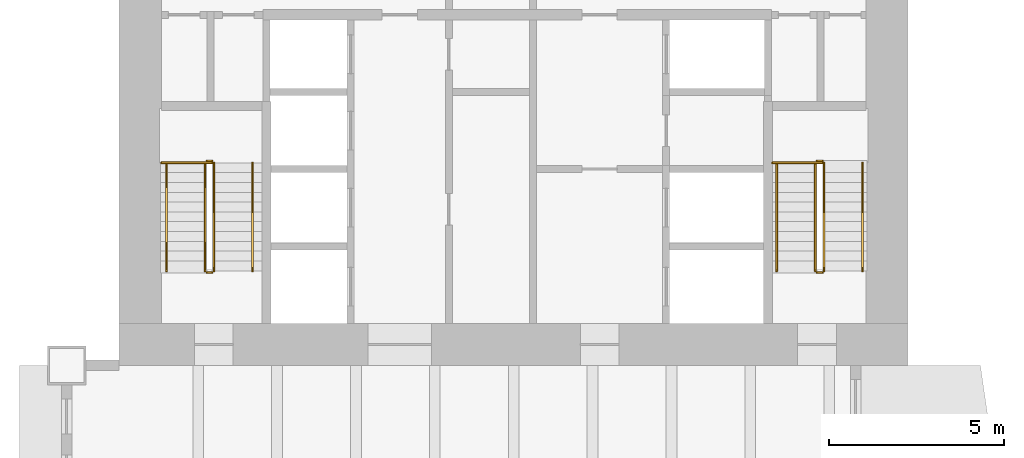
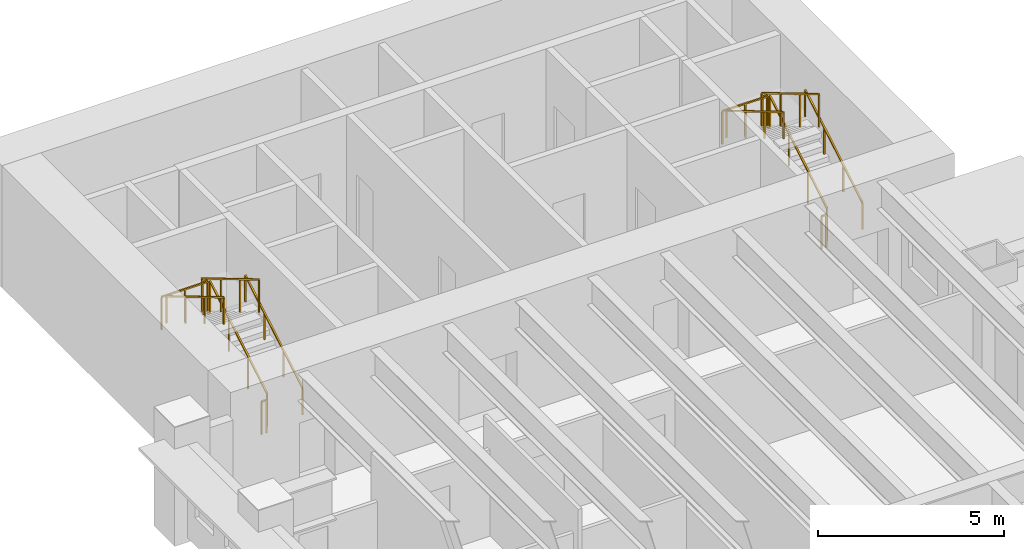
# One storey, part 16 of 16: 14 railings.
"""IFC4 building model written with IfcOpenShell, lengths in metres."""

import ifcopenshell
import ifcopenshell.guid

model = None  # the IFC model being written
_history = None  # IfcOwnerHistory: only IFC2X3 demands one
_inside = {}  # id of a spatial element -> (the spatial element, [elements in it])
_under = {}  # id of a project, library or spatial element -> (it, [spatial elements below it])
_declared = {}  # id of a project -> (the project, [libraries it declares])
_typed = {}  # id of a type object -> (the type object, [elements of that type])
_made_of = {}  # id of a material, layer set ... -> (it, [elements and type objects made of it])


def new_model(schema):
    """Start an empty IFC model of exactly this schema.

    Asked for "IFC4X3", IfcOpenShell would pick the latest addendum, in which some entities
    have other attributes; the version numbers below select the first issue.
    IFC2X3 requires an IfcOwnerHistory on every rooted entity: one is made here for all.
    """
    global model, _history
    if schema == "IFC4X3":
        model = ifcopenshell.file(schema_version=(4, 3, 0, 0))
    else:
        model = ifcopenshell.file(schema=schema)
    _inside.clear()
    _under.clear()
    _declared.clear()
    _typed.clear()
    _made_of.clear()
    _history = None
    if model.schema == "IFC2X3":
        org = make("IfcOrganization", Name="unknown")
        user = make(
            "IfcPersonAndOrganization",
            ThePerson=make("IfcPerson", FamilyName="unknown"),
            TheOrganization=org,
        )
        app = make(
            "IfcApplication",
            ApplicationDeveloper=org,
            Version="unknown",
            ApplicationFullName="unknown",
            ApplicationIdentifier="unknown",
        )
        _history = make(
            "IfcOwnerHistory",
            OwningUser=user,
            OwningApplication=app,
            ChangeAction="ADDED",
            CreationDate=0,
        )
    return model


def make(cls, **values):
    """One entity of the class cls with the attributes given. An attribute that is None is left unset."""
    return model.create_entity(
        cls, **{name: value for name, value in values.items() if value is not None}
    )


def rooted(cls, **values):
    """An entity with a GlobalId (a new one), such as an element, a storey or a relation."""
    return make(cls, GlobalId=ifcopenshell.guid.new(), OwnerHistory=_history, **values)


def si_unit(unit_type, name, prefix=None):
    """IfcSIUnit, for example si_unit("LENGTHUNIT", "METRE", prefix="MILLI")."""
    return make("IfcSIUnit", UnitType=unit_type, Prefix=prefix, Name=name)


def assignment(units):
    """IfcUnitAssignment: the units of a project."""
    return None if units is None else make("IfcUnitAssignment", Units=units)


def point(xyz):
    """IfcCartesianPoint."""
    return None if xyz is None else make("IfcCartesianPoint", Coordinates=xyz)


def direction(xyz):
    """IfcDirection."""
    return None if xyz is None else make("IfcDirection", DirectionRatios=xyz)


def frame(location, z_axis=None, x_axis=None):
    """IfcAxis2Placement3D, a coordinate frame: its origin and axes. An axis left out is left unset."""
    return make(
        "IfcAxis2Placement3D",
        Location=point(location),
        Axis=direction(z_axis),
        RefDirection=direction(x_axis),
    )


def frame_2d(location, x_axis=None):
    """IfcAxis2Placement2D, a coordinate frame in the plane: its origin and x axis."""
    return make(
        "IfcAxis2Placement2D", Location=point(location), RefDirection=direction(x_axis)
    )


def origin():
    """The frame at (0, 0, 0) with its axes left unset."""
    return frame((0.0, 0.0, 0.0))


def origin_2d():
    """The frame at (0, 0) in the plane with its x axis left unset."""
    return frame_2d((0.0, 0.0))


def place(relative_to, where):
    """IfcLocalPlacement: puts the frame where relative to a parent placement (None: the world)."""
    return make(
        "IfcLocalPlacement", PlacementRelTo=relative_to, RelativePlacement=where
    )


def context(
    kind, dimensions, precision=None, world=None, true_north=None, identifier=None
):
    """IfcGeometricRepresentationContext, for example the 3D "Model" context."""
    return make(
        "IfcGeometricRepresentationContext",
        ContextIdentifier=identifier,
        ContextType=kind,
        CoordinateSpaceDimension=dimensions,
        Precision=precision,
        WorldCoordinateSystem=world,
        TrueNorth=true_north,
    )


def subcontext(parent, identifier, kind, view, scale=None):
    """IfcGeometricRepresentationSubContext, for example "Body" below "Model"."""
    return make(
        "IfcGeometricRepresentationSubContext",
        ContextIdentifier=identifier,
        ContextType=kind,
        ParentContext=parent,
        TargetScale=scale,
        TargetView=view,
    )


def project(units=None, contexts=None):
    """IfcProject with its units and contexts."""
    return rooted(
        "IfcProject",
        Name="project",
        RepresentationContexts=contexts,
        UnitsInContext=assignment(units),
    )


def spatial(cls, under=None, at=None, **own):
    """A site, building, storey or space (cls), placed at a placement, below another one or the project."""
    s = rooted(cls, ObjectPlacement=at, **own)
    if under is not None:
        _under.setdefault(under.id(), (under, []))[1].append(s)
    return s


def profile(cls, at=None, kind="AREA", **sizes):
    """A parametric profile (cls). Its sizes go by their IFC names, for example OverallWidth=200.0."""
    return make(cls, ProfileType=kind, Position=at, **sizes)


def rectangle(**sizes):
    """IfcRectangleProfileDef."""
    return profile("IfcRectangleProfileDef", **sizes)


def extrude(swept, where, along, depth):
    """IfcExtrudedAreaSolid: the profile swept, set in the frame where, extruded along a direction by depth."""
    return make(
        "IfcExtrudedAreaSolid",
        SweptArea=swept,
        Position=where,
        ExtrudedDirection=direction(along),
        Depth=depth,
    )


def shape(context_of_items, identifier, shape_type, items):
    """IfcShapeRepresentation: the items that make up one representation, for example the "Body"."""
    return make(
        "IfcShapeRepresentation",
        ContextOfItems=context_of_items,
        RepresentationIdentifier=identifier,
        RepresentationType=shape_type,
        Items=items,
    )


def material(Name=None, Category=None):
    """IfcMaterial."""
    return make("IfcMaterial", Name=Name, Category=Category)


def made_of(thing, what):
    """Note that an element or type object is made of a material, layer set ...; save() writes the relation."""
    if what is not None:
        _made_of.setdefault(what.id(), (what, []))[1].append(thing)
    return thing


def type_object(cls, material=None, **own):
    """A type object (cls), such as IfcWallType, which elements share."""
    return made_of(rooted(cls, **own), material)


def element(
    cls,
    number,
    at=None,
    inside=None,
    cuts=None,
    type_object=None,
    material=None,
    context=None,
    identifier="Body",
    shape_type=None,
    held_by="IfcProductDefinitionShape",
    body=None,
    shapes=None,
    **own,
):
    """One element of the class cls, such as IfcWall. Its Tag is "e" and its number.

    at: its placement. inside: the storey or other place that contains it. cuts: it is an
    opening in that element (IfcRelVoidsElement). A single representation is given by context,
    identifier, shape_type and body (its items); several are given by shapes. held_by: the class
    of the entity that holds the representations. save() writes the other relations.
    """
    e = rooted(cls, Tag="e%d" % number, ObjectPlacement=at, **own)
    if body is not None:
        shapes = [shape(context, identifier, shape_type, body)]
    if shapes is not None:
        e.Representation = make(held_by, Representations=shapes)
    if inside is not None:
        _inside.setdefault(inside.id(), (inside, []))[1].append(e)
    if cuts is not None:
        rooted(
            "IfcRelVoidsElement", RelatingBuildingElement=cuts, RelatedOpeningElement=e
        )
    if type_object is not None:
        _typed.setdefault(type_object.id(), (type_object, []))[1].append(e)
    return made_of(e, material)


def aggregate(whole, parts):
    """IfcRelAggregates: a whole, such as a stair, and the parts it consists of."""
    return rooted("IfcRelAggregates", RelatingObject=whole, RelatedObjects=parts)


def save(model, path):
    """Write the relations noted so far, then the file.

    IfcRelAggregates (storeys below a building ...), IfcRelContainedInSpatialStructure (elements
    in a storey), IfcRelDefinesByType, IfcRelAssociatesMaterial and IfcRelDeclares: one each for
    every whole, place, type object, material and project.
    """
    for whole, parts in _under.values():
        aggregate(whole, parts)
    for where, things in _inside.values():
        rooted(
            "IfcRelContainedInSpatialStructure",
            RelatedElements=things,
            RelatingStructure=where,
        )
    for kind, things in _typed.values():
        rooted("IfcRelDefinesByType", RelatedObjects=things, RelatingType=kind)
    for what, things in _made_of.values():
        rooted("IfcRelAssociatesMaterial", RelatedObjects=things, RelatingMaterial=what)
    for by, libraries in _declared.values():
        rooted("IfcRelDeclares", RelatingContext=by, RelatedDefinitions=libraries)
    model.write(path)


model = new_model("IFC4")

# Units and contexts
model_context = context("Model", 3, precision=1e-05, world=origin(), true_north=direction((0.0, 1.0)))
body_context = subcontext(model_context, "Body", "Model", "MODEL_VIEW")
ifc_project = project(units=[si_unit("LENGTHUNIT", "METRE"), si_unit("AREAUNIT", "SQUARE_METRE"), si_unit("VOLUMEUNIT", "CUBIC_METRE"), si_unit("PLANEANGLEUNIT", "RADIAN"), si_unit("MASSUNIT", "GRAM", prefix="KILO")], contexts=[model_context])

# Site, building, storey
site_placement = place(None, origin())
site = spatial("IfcSite", under=ifc_project, at=site_placement, CompositionType="ELEMENT")
building_placement = place(site_placement, origin())
building = spatial("IfcBuilding", under=site, at=building_placement, Name="Sennacour Bend Tower", CompositionType="ELEMENT")
storey_placement = place(building_placement, frame((0.0, 0.0, 73.0)))
storey = spatial("IfcBuildingStorey", under=building, at=storey_placement, Name="L16", CompositionType="ELEMENT", Elevation=73.0)

# Railings
ifc_material = material(Name="Stainless steel", Category="steel")
railing_type_1 = type_object("IfcRailingType", Name="RL-GUARD-1100", PredefinedType="GUARDRAIL", material=ifc_material)
railing_1_placement = place(storey_placement, frame((2.699951171875, 38.699951171875, 0.166748046875)))
element("IfcRailing", 1, at=railing_1_placement, inside=storey, type_object=railing_type_1, Name="L16 SB1 stair guard 1", PredefinedType="GUARDRAIL", context=body_context, shape_type="SweptSolid", body=[
    extrude(rectangle(XDim=0.048095703125, YDim=0.048095703125, at=origin_2d()), frame((0.0, 0.0, 1.076171875), z_axis=(0.0, 0.859308565015, 0.511457515432), x_axis=(-1.0, 0.0, 0.0)), (0.0, 0.0, 1.0), 3.58447265625),
    extrude(rectangle(XDim=0.0419921875, YDim=0.0419921875, at=origin_2d()), origin(), (0.0, 0.0, 1.0), 1.052001953125),
    extrude(rectangle(XDim=0.0419921875, YDim=0.0419921875, at=origin_2d()), frame((0.0, 1.026611328125, 0.611083984375)), (0.0, 0.0, 1.0), 1.052001953125),
    extrude(rectangle(XDim=0.0419921875, YDim=0.0419921875, at=origin_2d()), frame((0.0, 2.053466796875, 1.22216796875)), (0.0, 0.0, 1.0), 1.052001953125),
    extrude(rectangle(XDim=0.0419921875, YDim=0.0419921875, at=origin_2d()), frame((0.0, 3.080078125, 1.833251953125)), (0.0, 0.0, 1.0), 1.052001953125),
])
railing_2_placement = place(storey_placement, frame((2.64990234375, 41.830078125, 2.0)))
element("IfcRailing", 2, at=railing_2_placement, inside=storey, type_object=railing_type_1, Name="L16 SB1 stair guard 2", PredefinedType="GUARDRAIL", context=body_context, shape_type="SweptSolid", body=[
    extrude(rectangle(XDim=0.048095703125, YDim=0.048095703125, at=origin_2d()), frame((0.0, 0.0, 1.076171875), z_axis=(-1.0, 0.0, 0.0), x_axis=(0.0, -1.0, 0.0)), (0.0, 0.0, 1.0), 0.14990234375),
    extrude(rectangle(XDim=0.0419921875, YDim=0.0419921875, at=origin_2d()), origin(), (0.0, 0.0, 1.0), 1.052001953125),
    extrude(rectangle(XDim=0.0419921875, YDim=0.0419921875, at=origin_2d()), frame((-0.14990234375, 0.0, 0.0)), (0.0, 0.0, 1.0), 1.052001953125),
])
railing_3_placement = place(storey_placement, frame((2.449951171875, 41.780029296875, 2.166748046875)))
element("IfcRailing", 3, at=railing_3_placement, inside=storey, type_object=railing_type_1, Name="L16 SB1 stair guard 4", PredefinedType="GUARDRAIL", context=body_context, shape_type="SweptSolid", body=[
    extrude(rectangle(XDim=0.048095703125, YDim=0.048095703125, at=origin_2d()), frame((0.0, 0.0, 1.076171875), z_axis=(0.0, -0.859308565015, 0.511457515432), x_axis=(1.0, 0.0, 0.0)), (0.0, 0.0, 1.0), 3.58447265625),
    extrude(rectangle(XDim=0.0419921875, YDim=0.0419921875, at=origin_2d()), origin(), (0.0, 0.0, 1.0), 1.052001953125),
    extrude(rectangle(XDim=0.0419921875, YDim=0.0419921875, at=origin_2d()), frame((0.0, -1.026611328125, 0.611083984375)), (0.0, 0.0, 1.0), 1.052001953125),
    extrude(rectangle(XDim=0.0419921875, YDim=0.0419921875, at=origin_2d()), frame((0.0, -2.053466796875, 1.22216796875)), (0.0, 0.0, 1.0), 1.052001953125),
    extrude(rectangle(XDim=0.0419921875, YDim=0.0419921875, at=origin_2d()), frame((0.0, -3.080078125, 1.833251953125)), (0.0, 0.0, 1.0), 1.052001953125),
])
railing_4_placement = place(storey_placement, frame((2.64990234375, 38.64990234375, 0.0)))
element("IfcRailing", 4, at=railing_4_placement, inside=storey, type_object=railing_type_1, Name="L16 SB1 stair guard 5", PredefinedType="GUARDRAIL", context=body_context, shape_type="SweptSolid", body=[
    extrude(rectangle(XDim=0.048095703125, YDim=0.048095703125, at=origin_2d()), frame((0.0, 0.0, 1.076171875), z_axis=(-1.0, 0.0, 0.0), x_axis=(0.0, -1.0, 0.0)), (0.0, 0.0, 1.0), 0.14990234375),
    extrude(rectangle(XDim=0.0419921875, YDim=0.0419921875, at=origin_2d()), origin(), (0.0, 0.0, 1.0), 1.052001953125),
    extrude(rectangle(XDim=0.0419921875, YDim=0.0419921875, at=origin_2d()), frame((-0.14990234375, 0.0, 0.0)), (0.0, 0.0, 1.0), 1.052001953125),
])
railing_5_placement = place(storey_placement, frame((2.64990234375, 41.780029296875, 2.0)))
element("IfcRailing", 5, at=railing_5_placement, inside=storey, type_object=railing_type_1, Name="L16 SB1 landing edge guard 35", PredefinedType="GUARDRAIL", context=body_context, shape_type="SweptSolid", body=[
    extrude(rectangle(XDim=0.048095703125, YDim=0.048095703125, at=origin_2d()), frame((0.0, 0.0, 1.076171875), z_axis=(-1.0, 0.0, 0.0), x_axis=(0.0, -1.0, 0.0)), (0.0, 0.0, 1.0), 1.449951171875),
    extrude(rectangle(XDim=0.0419921875, YDim=0.0419921875, at=origin_2d()), origin(), (0.0, 0.0, 1.0), 1.052001953125),
    extrude(rectangle(XDim=0.0419921875, YDim=0.0419921875, at=origin_2d()), frame((-0.72509765625, 0.0, 0.0)), (0.0, 0.0, 1.0), 1.052001953125),
    extrude(rectangle(XDim=0.0419921875, YDim=0.0419921875, at=origin_2d()), frame((-1.449951171875, 0.0, 0.0)), (0.0, 0.0, 1.0), 1.052001953125),
])
railing_6_placement = place(storey_placement, frame((20.10009765625, 38.699951171875, 0.166748046875)))
element("IfcRailing", 6, at=railing_6_placement, inside=storey, type_object=railing_type_1, Name="L16 SB2 stair guard 1", PredefinedType="GUARDRAIL", context=body_context, shape_type="SweptSolid", body=[
    extrude(rectangle(XDim=0.048095703125, YDim=0.048095703125, at=origin_2d()), frame((0.0, 0.0, 1.076171875), z_axis=(0.0, 0.859308565015, 0.511457515432), x_axis=(-1.0, 0.0, 0.0)), (0.0, 0.0, 1.0), 3.58447265625),
    extrude(rectangle(XDim=0.0419921875, YDim=0.0419921875, at=origin_2d()), origin(), (0.0, 0.0, 1.0), 1.052001953125),
    extrude(rectangle(XDim=0.0419921875, YDim=0.0419921875, at=origin_2d()), frame((0.0, 1.026611328125, 0.611083984375)), (0.0, 0.0, 1.0), 1.052001953125),
    extrude(rectangle(XDim=0.0419921875, YDim=0.0419921875, at=origin_2d()), frame((0.0, 2.053466796875, 1.22216796875)), (0.0, 0.0, 1.0), 1.052001953125),
    extrude(rectangle(XDim=0.0419921875, YDim=0.0419921875, at=origin_2d()), frame((0.0, 3.080078125, 1.833251953125)), (0.0, 0.0, 1.0), 1.052001953125),
])
railing_7_placement = place(storey_placement, frame((20.050048828125, 41.830078125, 2.0)))
element("IfcRailing", 7, at=railing_7_placement, inside=storey, type_object=railing_type_1, Name="L16 SB2 stair guard 2", PredefinedType="GUARDRAIL", context=body_context, shape_type="SweptSolid", body=[
    extrude(rectangle(XDim=0.048095703125, YDim=0.048095703125, at=origin_2d()), frame((0.0, 0.0, 1.076171875), z_axis=(-1.0, 0.0, 0.0), x_axis=(0.0, -1.0, 0.0)), (0.0, 0.0, 1.0), 0.150146484375),
    extrude(rectangle(XDim=0.0419921875, YDim=0.0419921875, at=origin_2d()), origin(), (0.0, 0.0, 1.0), 1.052001953125),
    extrude(rectangle(XDim=0.0419921875, YDim=0.0419921875, at=origin_2d()), frame((-0.150146484375, 0.0, 0.0)), (0.0, 0.0, 1.0), 1.052001953125),
])
railing_8_placement = place(storey_placement, frame((19.85009765625, 41.780029296875, 2.166748046875)))
element("IfcRailing", 8, at=railing_8_placement, inside=storey, type_object=railing_type_1, Name="L16 SB2 stair guard 4", PredefinedType="GUARDRAIL", context=body_context, shape_type="SweptSolid", body=[
    extrude(rectangle(XDim=0.048095703125, YDim=0.048095703125, at=origin_2d()), frame((0.0, 0.0, 1.076171875), z_axis=(0.0, -0.859308565015, 0.511457515432), x_axis=(1.0, 0.0, 0.0)), (0.0, 0.0, 1.0), 3.58447265625),
    extrude(rectangle(XDim=0.0419921875, YDim=0.0419921875, at=origin_2d()), origin(), (0.0, 0.0, 1.0), 1.052001953125),
    extrude(rectangle(XDim=0.0419921875, YDim=0.0419921875, at=origin_2d()), frame((0.0, -1.026611328125, 0.611083984375)), (0.0, 0.0, 1.0), 1.052001953125),
    extrude(rectangle(XDim=0.0419921875, YDim=0.0419921875, at=origin_2d()), frame((0.0, -2.053466796875, 1.22216796875)), (0.0, 0.0, 1.0), 1.052001953125),
    extrude(rectangle(XDim=0.0419921875, YDim=0.0419921875, at=origin_2d()), frame((0.0, -3.080078125, 1.833251953125)), (0.0, 0.0, 1.0), 1.052001953125),
])
railing_9_placement = place(storey_placement, frame((20.050048828125, 38.64990234375, 0.0)))
element("IfcRailing", 9, at=railing_9_placement, inside=storey, type_object=railing_type_1, Name="L16 SB2 stair guard 5", PredefinedType="GUARDRAIL", context=body_context, shape_type="SweptSolid", body=[
    extrude(rectangle(XDim=0.048095703125, YDim=0.048095703125, at=origin_2d()), frame((0.0, 0.0, 1.076171875), z_axis=(-1.0, 0.0, 0.0), x_axis=(0.0, -1.0, 0.0)), (0.0, 0.0, 1.0), 0.150146484375),
    extrude(rectangle(XDim=0.0419921875, YDim=0.0419921875, at=origin_2d()), origin(), (0.0, 0.0, 1.0), 1.052001953125),
    extrude(rectangle(XDim=0.0419921875, YDim=0.0419921875, at=origin_2d()), frame((-0.150146484375, 0.0, 0.0)), (0.0, 0.0, 1.0), 1.052001953125),
])
railing_10_placement = place(storey_placement, frame((20.050048828125, 41.780029296875, 2.0)))
element("IfcRailing", 10, at=railing_10_placement, inside=storey, type_object=railing_type_1, Name="L16 SB2 landing edge guard 27", PredefinedType="GUARDRAIL", context=body_context, shape_type="SweptSolid", body=[
    extrude(rectangle(XDim=0.048095703125, YDim=0.048095703125, at=origin_2d()), frame((0.0, 0.0, 1.076171875), z_axis=(-1.0, 0.0, 0.0), x_axis=(0.0, -1.0, 0.0)), (0.0, 0.0, 1.0), 1.425048828125),
    extrude(rectangle(XDim=0.0419921875, YDim=0.0419921875, at=origin_2d()), origin(), (0.0, 0.0, 1.0), 1.052001953125),
    extrude(rectangle(XDim=0.0419921875, YDim=0.0419921875, at=origin_2d()), frame((-0.71240234375, 0.0, 0.0)), (0.0, 0.0, 1.0), 1.052001953125),
    extrude(rectangle(XDim=0.0419921875, YDim=0.0419921875, at=origin_2d()), frame((-1.425048828125, 0.0, 0.0)), (0.0, 0.0, 1.0), 1.052001953125),
])
railing_type_2 = type_object("IfcRailingType", Name="RL-HANDRAIL-900", PredefinedType="HANDRAIL", material=ifc_material)
railing_11_placement = place(storey_placement, frame((3.800048828125, 38.699951171875, 0.166748046875)))
element("IfcRailing", 11, at=railing_11_placement, inside=storey, type_object=railing_type_2, Name="L16 SB1 stair handrail 1", PredefinedType="HANDRAIL", context=body_context, shape_type="SweptSolid", body=[
    extrude(rectangle(XDim=0.048095703125, YDim=0.048095703125, at=origin_2d()), frame((0.0, 0.0, 0.8759765625), z_axis=(0.0, 0.859308565015, 0.511457515432), x_axis=(-1.0, 0.0, 0.0)), (0.0, 0.0, 1.0), 3.58447265625),
    extrude(rectangle(XDim=0.0419921875, YDim=0.0419921875, at=origin_2d()), origin(), (0.0, 0.0, 1.0), 0.851806640625),
    extrude(rectangle(XDim=0.0419921875, YDim=0.0419921875, at=origin_2d()), frame((0.0, 1.026611328125, 0.611083984375)), (0.0, 0.0, 1.0), 0.851806640625),
    extrude(rectangle(XDim=0.0419921875, YDim=0.0419921875, at=origin_2d()), frame((0.0, 2.053466796875, 1.22216796875)), (0.0, 0.0, 1.0), 0.851806640625),
    extrude(rectangle(XDim=0.0419921875, YDim=0.0419921875, at=origin_2d()), frame((0.0, 3.080078125, 1.833251953125)), (0.0, 0.0, 1.0), 0.851806640625),
])
railing_12_placement = place(storey_placement, frame((1.35009765625, 41.780029296875, 2.166748046875)))
element("IfcRailing", 12, at=railing_12_placement, inside=storey, type_object=railing_type_2, Name="L16 SB1 stair handrail 2", PredefinedType="HANDRAIL", context=body_context, shape_type="SweptSolid", body=[
    extrude(rectangle(XDim=0.048095703125, YDim=0.048095703125, at=origin_2d()), frame((0.0, 0.0, 0.8759765625), z_axis=(0.0, -0.859308565015, 0.511457515432), x_axis=(1.0, 0.0, 0.0)), (0.0, 0.0, 1.0), 3.58447265625),
    extrude(rectangle(XDim=0.0419921875, YDim=0.0419921875, at=origin_2d()), origin(), (0.0, 0.0, 1.0), 0.851806640625),
    extrude(rectangle(XDim=0.0419921875, YDim=0.0419921875, at=origin_2d()), frame((0.0, -1.026611328125, 0.611083984375)), (0.0, 0.0, 1.0), 0.851806640625),
    extrude(rectangle(XDim=0.0419921875, YDim=0.0419921875, at=origin_2d()), frame((0.0, -2.053466796875, 1.22216796875)), (0.0, 0.0, 1.0), 0.851806640625),
    extrude(rectangle(XDim=0.0419921875, YDim=0.0419921875, at=origin_2d()), frame((0.0, -3.080078125, 1.833251953125)), (0.0, 0.0, 1.0), 0.851806640625),
])
railing_13_placement = place(storey_placement, frame((21.199951171875, 38.699951171875, 0.166748046875)))
element("IfcRailing", 13, at=railing_13_placement, inside=storey, type_object=railing_type_2, Name="L16 SB2 stair handrail 1", PredefinedType="HANDRAIL", context=body_context, shape_type="SweptSolid", body=[
    extrude(rectangle(XDim=0.048095703125, YDim=0.048095703125, at=origin_2d()), frame((0.0, 0.0, 0.8759765625), z_axis=(0.0, 0.859308565015, 0.511457515432), x_axis=(-1.0, 0.0, 0.0)), (0.0, 0.0, 1.0), 3.58447265625),
    extrude(rectangle(XDim=0.0419921875, YDim=0.0419921875, at=origin_2d()), origin(), (0.0, 0.0, 1.0), 0.851806640625),
    extrude(rectangle(XDim=0.0419921875, YDim=0.0419921875, at=origin_2d()), frame((0.0, 1.026611328125, 0.611083984375)), (0.0, 0.0, 1.0), 0.851806640625),
    extrude(rectangle(XDim=0.0419921875, YDim=0.0419921875, at=origin_2d()), frame((0.0, 2.053466796875, 1.22216796875)), (0.0, 0.0, 1.0), 0.851806640625),
    extrude(rectangle(XDim=0.0419921875, YDim=0.0419921875, at=origin_2d()), frame((0.0, 3.080078125, 1.833251953125)), (0.0, 0.0, 1.0), 0.851806640625),
])
railing_14_placement = place(storey_placement, frame((18.75, 41.780029296875, 2.166748046875)))
element("IfcRailing", 14, at=railing_14_placement, inside=storey, type_object=railing_type_2, Name="L16 SB2 stair handrail 2", PredefinedType="HANDRAIL", context=body_context, shape_type="SweptSolid", body=[
    extrude(rectangle(XDim=0.048095703125, YDim=0.048095703125, at=origin_2d()), frame((0.0, 0.0, 0.8759765625), z_axis=(0.0, -0.859308565015, 0.511457515432), x_axis=(1.0, 0.0, 0.0)), (0.0, 0.0, 1.0), 3.58447265625),
    extrude(rectangle(XDim=0.0419921875, YDim=0.0419921875, at=origin_2d()), origin(), (0.0, 0.0, 1.0), 0.851806640625),
    extrude(rectangle(XDim=0.0419921875, YDim=0.0419921875, at=origin_2d()), frame((0.0, -1.026611328125, 0.611083984375)), (0.0, 0.0, 1.0), 0.851806640625),
    extrude(rectangle(XDim=0.0419921875, YDim=0.0419921875, at=origin_2d()), frame((0.0, -2.053466796875, 1.22216796875)), (0.0, 0.0, 1.0), 0.851806640625),
    extrude(rectangle(XDim=0.0419921875, YDim=0.0419921875, at=origin_2d()), frame((0.0, -3.080078125, 1.833251953125)), (0.0, 0.0, 1.0), 0.851806640625),
])

save(model, "model.ifc")
